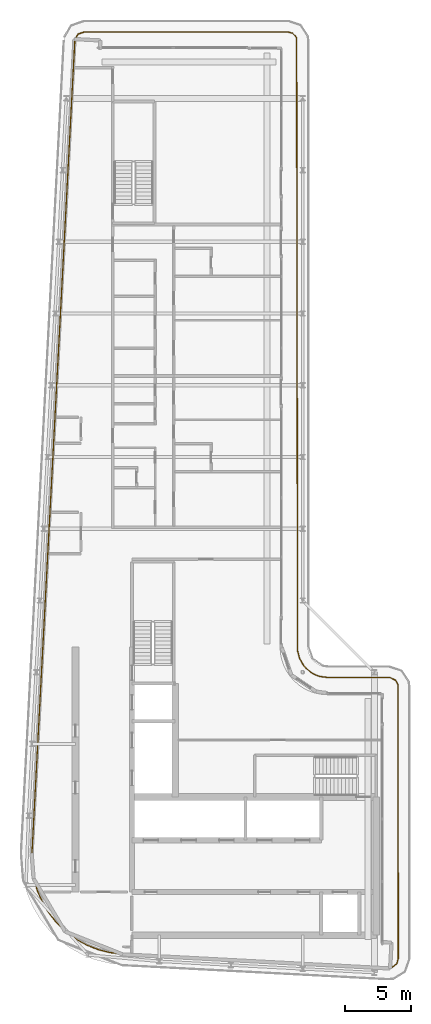
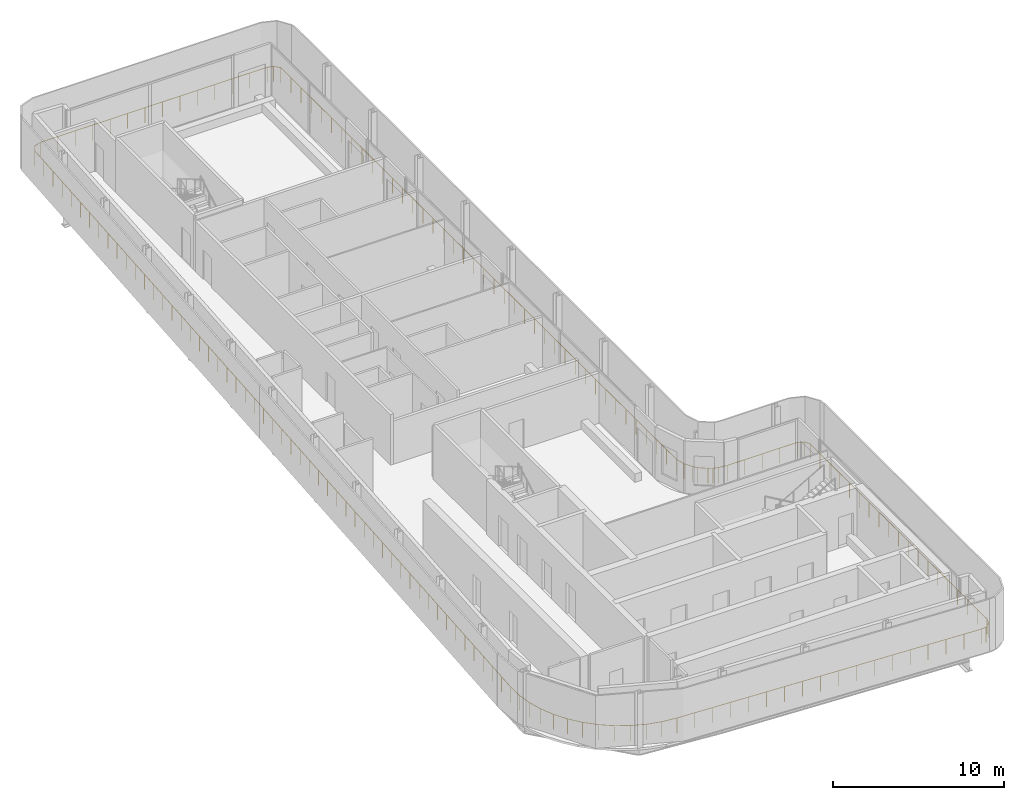
# One storey, part 16 of 19: 1 railing.
"""IFC4 building model written with IfcOpenShell, lengths in metres."""

from ifc_helpers import new_model, si_unit, direction, frame, origin, origin_2d, place, context, subcontext, project, spatial, circle, extrude, material, type_object, element, save


model = new_model("IFC4")

# Units and contexts
model_context = context("Model", 3, precision=1e-05, world=origin(), true_north=direction((0.0, 1.0)))
body_context = subcontext(model_context, "Body", "Model", "MODEL_VIEW")
ifc_project = project(units=[si_unit("LENGTHUNIT", "METRE"), si_unit("AREAUNIT", "SQUARE_METRE"), si_unit("VOLUMEUNIT", "CUBIC_METRE"), si_unit("PLANEANGLEUNIT", "RADIAN"), si_unit("MASSUNIT", "GRAM", prefix="KILO")], contexts=[model_context])

# Site, building, storey
site_placement = place(None, origin())
site = spatial("IfcSite", under=ifc_project, at=site_placement, CompositionType="ELEMENT")
building_placement = place(site_placement, origin())
building = spatial("IfcBuilding", under=site, at=building_placement, Name="Kheshtan School and Residences Tower", CompositionType="ELEMENT")
storey_placement = place(building_placement, frame((0.0, 0.0, 350.0)))
storey = spatial("IfcBuildingStorey", under=building, at=storey_placement, Name="L82", CompositionType="ELEMENT", Elevation=350.0)

# Railing
ifc_material = material(Name="Stainless steel balustrade", Category="steel")
railing_type = type_object("IfcRailingType", Name="Loggia guard 1100", PredefinedType="GUARDRAIL", material=ifc_material)
railing_placement = place(storey_placement, frame((30.452880859375, 93.23193359375, 0.0)))
element("IfcRailing", 1, at=railing_placement, inside=storey, type_object=railing_type, Name="Guard L82 1", PredefinedType="GUARDRAIL", context=body_context, shape_type="SweptSolid", body=[
    extrude(circle(Radius=0.02392578125, at=origin_2d()), frame((0.0, 0.0, 1.076171875), z_axis=(0.511384164068, 0.859352219256, 0.0), x_axis=(-0.859352219256, 0.511384164068, 0.0)), (0.0, 0.0, 1.0), 0.4736328125),
    extrude(circle(Radius=0.02392578125, at=origin_2d()), frame((0.2421875, 0.406982421875, 1.076171875), z_axis=(0.94615212502, 0.323722344486, 0.0), x_axis=(-0.323722344486, 0.94615212502, 0.0)), (0.0, 0.0, 1.0), 0.497802734375),
    extrude(circle(Radius=0.02392578125, at=origin_2d()), frame((0.713134765625, 0.568115234375, 1.076171875), z_axis=(1.0, 0.0, 0.0), x_axis=(0.0, 1.0, 0.0)), (0.0, 0.0, 1.0), 15.306884765625),
    extrude(circle(Radius=0.02392578125, at=origin_2d()), frame((16.02001953125, 0.568115234375, 1.076171875), z_axis=(0.969584789188, -0.244755667095, 0.0), x_axis=(0.244755667095, 0.969584789188, 0.0)), (0.0, 0.0, 1.0), 0.387939453125),
    extrude(circle(Radius=0.02392578125, at=origin_2d()), frame((16.396240234375, 0.47314453125, 1.076171875), z_axis=(0.658543074433, -0.752543034727, 0.0), x_axis=(0.752543034727, 0.658543074433, 0.0)), (0.0, 0.0, 1.0), 0.44921875),
    extrude(circle(Radius=0.02392578125, at=origin_2d()), frame((16.692138671875, 0.135009765625, 1.076171875), z_axis=(0.00158113856, -0.99999875, 0.0), x_axis=(0.99999875, 0.00158113856, 0.0)), (0.0, 0.0, 1.0), 46.16796875),
    extrude(circle(Radius=0.02392578125, at=origin_2d()), frame((16.76513671875, -46.032958984375, 1.076171875), z_axis=(0.258194066029, -0.966093072259, 0.0), x_axis=(0.966093072259, 0.258194066029, 0.0)), (0.0, 0.0, 1.0), 0.600341796875),
    extrude(circle(Radius=0.02392578125, at=origin_2d()), frame((16.920166015625, -46.613037109375, 1.076171875), z_axis=(0.500650830488, -0.865649320413, 0.0), x_axis=(0.865649320413, 0.500650830488, 0.0)), (0.0, 0.0, 1.0), 0.599365234375),
    extrude(circle(Radius=0.02392578125, at=origin_2d()), frame((17.22021484375, -47.1318359375, 1.076171875), z_axis=(0.657475962228, -0.753475519903, 0.0), x_axis=(0.753475519903, 0.657475962228, 0.0)), (0.0, 0.0, 1.0), 0.302734375),
    extrude(circle(Radius=0.02392578125, at=origin_2d()), frame((17.419189453125, -47.35986328125, 1.076171875), z_axis=(0.794207829635, -0.607646215611, 0.0), x_axis=(0.607646215611, 0.794207829635, 0.0)), (0.0, 0.0, 1.0), 0.6005859375),
    extrude(circle(Radius=0.02392578125, at=origin_2d()), frame((17.896240234375, -47.724853515625, 1.076171875), z_axis=(0.895558957072, -0.444942866455, 0.0), x_axis=(0.444942866455, 0.895558957072, 0.0)), (0.0, 0.0, 1.0), 0.30126953125),
    extrude(circle(Radius=0.02392578125, at=origin_2d()), frame((18.166015625, -47.85888671875, 1.076171875), z_axis=(0.946890871883, -0.321555091305, 0.0), x_axis=(0.321555091305, 0.946890871883, 0.0)), (0.0, 0.0, 1.0), 0.30224609375),
    extrude(circle(Radius=0.02392578125, at=origin_2d()), frame((18.4521484375, -47.9560546875, 1.076171875), z_axis=(0.991179452641, -0.132526573418, 0.0), x_axis=(0.132526573418, 0.991179452641, 0.0)), (0.0, 0.0, 1.0), 0.572998046875),
    extrude(circle(Radius=0.02392578125, at=origin_2d()), frame((19.02001953125, -48.031982421875, 1.076171875), z_axis=(0.999998541999, -0.001707630111, 0.0), x_axis=(0.001707630111, 0.999998541999, 0.0)), (0.0, 0.0, 1.0), 4.718017578125),
    extrude(circle(Radius=0.02392578125, at=origin_2d()), frame((23.738037109375, -48.0400390625, 1.076171875), z_axis=(0.897558100782, -0.440896196084, 0.0), x_axis=(0.440896196084, 0.897558100782, 0.0)), (0.0, 0.0, 1.0), 0.448974609375),
    extrude(circle(Radius=0.02392578125, at=origin_2d()), frame((24.14111328125, -48.238037109375, 1.076171875), z_axis=(0.498394889566, -0.866950133546, 0.0), x_axis=(0.866950133546, 0.498394889566, 0.0)), (0.0, 0.0, 1.0), 0.361083984375),
    extrude(circle(Radius=0.02392578125, at=origin_2d()), frame((24.321044921875, -48.551025390625, 1.076171875), z_axis=(0.001266271174, -0.999999198278, 0.0), x_axis=(0.999999198278, 0.001266271174, 0.0)), (0.0, 0.0, 1.0), 20.6298828125),
    extrude(circle(Radius=0.02392578125, at=origin_2d()), frame((24.34716796875, -69.180908203125, 1.076171875), z_axis=(-0.253805819319, -0.967255191808, 0.0), x_axis=(0.967255191808, -0.253805819319, 0.0)), (0.0, 0.0, 1.0), 0.402099609375),
    extrude(circle(Radius=0.02392578125, at=origin_2d()), frame((24.2451171875, -69.56982421875, 1.076171875), z_axis=(-0.7708150077, -0.637059042715, 0.0), x_axis=(0.637059042715, -0.7708150077, 0.0)), (0.0, 0.0, 1.0), 0.4619140625),
    extrude(circle(Radius=0.02392578125, at=origin_2d()), frame((23.88916015625, -69.864013671875, 1.076171875), z_axis=(-0.990293977152, -0.138988628372, 0.0), x_axis=(0.138988628372, -0.990293977152, 0.0)), (0.0, 0.0, 1.0), 0.30908203125),
    extrude(circle(Radius=0.02392578125, at=origin_2d()), frame((23.5830078125, -69.906982421875, 1.076171875), z_axis=(-0.99861401751, 0.052631207781, 0.0), x_axis=(-0.052631207781, -0.99861401751, 0.0)), (0.0, 0.0, 1.0), 20.0068359375),
    extrude(circle(Radius=0.02392578125, at=origin_2d()), frame((3.60400390625, -68.85400390625, 1.076171875), z_axis=(-0.993152326572, 0.116826607521, 0.0), x_axis=(-0.116826607521, -0.993152326572, 0.0)), (0.0, 0.0, 1.0), 0.967529296875),
    extrude(circle(Radius=0.02392578125, at=origin_2d()), frame((2.64306640625, -68.740966796875, 1.076171875), z_axis=(-0.969142269941, 0.246502049918, 0.0), x_axis=(-0.246502049918, -0.969142269941, 0.0)), (0.0, 0.0, 1.0), 0.94091796875),
    extrude(circle(Radius=0.02392578125, at=origin_2d()), frame((1.731201171875, -68.509033203125, 1.076171875), z_axis=(-0.928440955332, 0.371480002775, 0.0), x_axis=(-0.371480002775, -0.928440955332, 0.0)), (0.0, 0.0, 1.0), 0.9423828125),
    extrude(circle(Radius=0.02392578125, at=origin_2d()), frame((0.856201171875, -68.158935546875, 1.076171875), z_axis=(-0.872673913379, 0.488303431187, 0.0), x_axis=(-0.488303431187, -0.872673913379, 0.0)), (0.0, 0.0, 1.0), 0.94189453125),
    extrude(circle(Radius=0.02392578125, at=origin_2d()), frame((0.0341796875, -67.698974609375, 1.076171875), z_axis=(-0.801336596607, 0.598213723462, 0.0), x_axis=(-0.598213723462, -0.801336596607, 0.0)), (0.0, 0.0, 1.0), 0.941162109375),
    extrude(circle(Radius=0.02392578125, at=origin_2d()), frame((-0.719970703125, -67.135986328125, 1.076171875), z_axis=(-0.71600013962, 0.69810013613, 0.0), x_axis=(-0.69810013613, -0.71600013962, 0.0)), (0.0, 0.0, 1.0), 0.941162109375),
    extrude(circle(Radius=0.02392578125, at=origin_2d()), frame((-1.393798828125, -66.47900390625, 1.076171875), z_axis=(-0.618862535768, 0.785499307334, 0.0), x_axis=(-0.785499307334, -0.618862535768, 0.0)), (0.0, 0.0, 1.0), 0.942138671875),
    extrude(circle(Radius=0.02392578125, at=origin_2d()), frame((-1.976806640625, -65.739013671875, 1.076171875), z_axis=(-0.510214927824, 0.860046933269, 0.0), x_axis=(-0.860046933269, -0.510214927824, 0.0)), (0.0, 0.0, 1.0), 0.940673828125),
    extrude(circle(Radius=0.02392578125, at=origin_2d()), frame((-2.456787109375, -64.929931640625, 1.076171875), z_axis=(-0.394763216191, 0.918782892278, 0.0), x_axis=(-0.918782892278, -0.394763216191, 0.0)), (0.0, 0.0, 1.0), 0.942626953125),
    extrude(circle(Radius=0.02392578125, at=origin_2d()), frame((-2.828857421875, -64.06396484375, 1.076171875), z_axis=(-0.272014427065, 0.962293173346, 0.0), x_axis=(-0.962293173346, -0.272014427065, 0.0)), (0.0, 0.0, 1.0), 0.94140625),
    extrude(circle(Radius=0.02392578125, at=origin_2d()), frame((-3.0849609375, -63.157958984375, 1.076171875), z_axis=(-0.143344445165, 0.989672860111, 0.0), x_axis=(-0.989672860111, -0.143344445165, 0.0)), (0.0, 0.0, 1.0), 0.94189453125),
    extrude(circle(Radius=0.02392578125, at=origin_2d()), frame((-3.219970703125, -62.225830078125, 1.076171875), z_axis=(-0.013382639841, 0.999910448466, 0.0), x_axis=(-0.999910448466, -0.013382639841, 0.0)), (0.0, 0.0, 1.0), 0.966796875),
    extrude(circle(Radius=0.02392578125, at=origin_2d()), frame((-3.23291015625, -61.259033203125, 1.076171875), z_axis=(0.052701084501, 0.998610332258, 0.0), x_axis=(-0.998610332258, 0.052701084501, 0.0)), (0.0, 0.0, 1.0), 61.34423828125),
    extrude(circle(Radius=0.02099609375, at=origin_2d()), origin(), (0.0, 0.0, 1.0), 1.052001953125),
    extrude(circle(Radius=0.02099609375, at=origin_2d()), frame((0.2421875, 0.406982421875, 0.0)), (0.0, 0.0, 1.0), 1.052001953125),
    extrude(circle(Radius=0.02099609375, at=origin_2d()), frame((0.713134765625, 0.568115234375, 0.0)), (0.0, 0.0, 1.0), 1.052001953125),
    extrude(circle(Radius=0.02099609375, at=origin_2d()), frame((1.890625, 0.568115234375, 0.0)), (0.0, 0.0, 1.0), 1.052001953125),
    extrude(circle(Radius=0.02099609375, at=origin_2d()), frame((3.068115234375, 0.568115234375, 0.0)), (0.0, 0.0, 1.0), 1.052001953125),
    extrude(circle(Radius=0.02099609375, at=origin_2d()), frame((4.24560546875, 0.568115234375, 0.0)), (0.0, 0.0, 1.0), 1.052001953125),
    extrude(circle(Radius=0.02099609375, at=origin_2d()), frame((5.4228515625, 0.568115234375, 0.0)), (0.0, 0.0, 1.0), 1.052001953125),
    extrude(circle(Radius=0.02099609375, at=origin_2d()), frame((6.600341796875, 0.568115234375, 0.0)), (0.0, 0.0, 1.0), 1.052001953125),
    extrude(circle(Radius=0.02099609375, at=origin_2d()), frame((7.77783203125, 0.568115234375, 0.0)), (0.0, 0.0, 1.0), 1.052001953125),
    extrude(circle(Radius=0.02099609375, at=origin_2d()), frame((8.955322265625, 0.568115234375, 0.0)), (0.0, 0.0, 1.0), 1.052001953125),
    extrude(circle(Radius=0.02099609375, at=origin_2d()), frame((10.1328125, 0.568115234375, 0.0)), (0.0, 0.0, 1.0), 1.052001953125),
    extrude(circle(Radius=0.02099609375, at=origin_2d()), frame((11.310302734375, 0.568115234375, 0.0)), (0.0, 0.0, 1.0), 1.052001953125),
    extrude(circle(Radius=0.02099609375, at=origin_2d()), frame((12.487548828125, 0.568115234375, 0.0)), (0.0, 0.0, 1.0), 1.052001953125),
    extrude(circle(Radius=0.02099609375, at=origin_2d()), frame((13.6650390625, 0.568115234375, 0.0)), (0.0, 0.0, 1.0), 1.052001953125),
    extrude(circle(Radius=0.02099609375, at=origin_2d()), frame((14.842529296875, 0.568115234375, 0.0)), (0.0, 0.0, 1.0), 1.052001953125),
    extrude(circle(Radius=0.02099609375, at=origin_2d()), frame((16.02001953125, 0.568115234375, 0.0)), (0.0, 0.0, 1.0), 1.052001953125),
    extrude(circle(Radius=0.02099609375, at=origin_2d()), frame((16.396240234375, 0.47314453125, 0.0)), (0.0, 0.0, 1.0), 1.052001953125),
    extrude(circle(Radius=0.02099609375, at=origin_2d()), frame((16.692138671875, 0.135009765625, 0.0)), (0.0, 0.0, 1.0), 1.052001953125),
    extrude(circle(Radius=0.02099609375, at=origin_2d()), frame((16.694091796875, -1.048828125, 0.0)), (0.0, 0.0, 1.0), 1.052001953125),
    extrude(circle(Radius=0.02099609375, at=origin_2d()), frame((16.69580078125, -2.232666015625, 0.0)), (0.0, 0.0, 1.0), 1.052001953125),
    extrude(circle(Radius=0.02099609375, at=origin_2d()), frame((16.69775390625, -3.416259765625, 0.0)), (0.0, 0.0, 1.0), 1.052001953125),
    extrude(circle(Radius=0.02099609375, at=origin_2d()), frame((16.69970703125, -4.60009765625, 0.0)), (0.0, 0.0, 1.0), 1.052001953125),
    extrude(circle(Radius=0.02099609375, at=origin_2d()), frame((16.701416015625, -5.783935546875, 0.0)), (0.0, 0.0, 1.0), 1.052001953125),
    extrude(circle(Radius=0.02099609375, at=origin_2d()), frame((16.703369140625, -6.9677734375, 0.0)), (0.0, 0.0, 1.0), 1.052001953125),
    extrude(circle(Radius=0.02099609375, at=origin_2d()), frame((16.705322265625, -8.151611328125, 0.0)), (0.0, 0.0, 1.0), 1.052001953125),
    extrude(circle(Radius=0.02099609375, at=origin_2d()), frame((16.70703125, -9.33544921875, 0.0)), (0.0, 0.0, 1.0), 1.052001953125),
    extrude(circle(Radius=0.02099609375, at=origin_2d()), frame((16.708984375, -10.51904296875, 0.0)), (0.0, 0.0, 1.0), 1.052001953125),
    extrude(circle(Radius=0.02099609375, at=origin_2d()), frame((16.7109375, -11.702880859375, 0.0)), (0.0, 0.0, 1.0), 1.052001953125),
    extrude(circle(Radius=0.02099609375, at=origin_2d()), frame((16.712646484375, -12.88671875, 0.0)), (0.0, 0.0, 1.0), 1.052001953125),
    extrude(circle(Radius=0.02099609375, at=origin_2d()), frame((16.714599609375, -14.070556640625, 0.0)), (0.0, 0.0, 1.0), 1.052001953125),
    extrude(circle(Radius=0.02099609375, at=origin_2d()), frame((16.716552734375, -15.25439453125, 0.0)), (0.0, 0.0, 1.0), 1.052001953125),
    extrude(circle(Radius=0.02099609375, at=origin_2d()), frame((16.71826171875, -16.43798828125, 0.0)), (0.0, 0.0, 1.0), 1.052001953125),
    extrude(circle(Radius=0.02099609375, at=origin_2d()), frame((16.72021484375, -17.621826171875, 0.0)), (0.0, 0.0, 1.0), 1.052001953125),
    extrude(circle(Radius=0.02099609375, at=origin_2d()), frame((16.72216796875, -18.8056640625, 0.0)), (0.0, 0.0, 1.0), 1.052001953125),
    extrude(circle(Radius=0.02099609375, at=origin_2d()), frame((16.723876953125, -19.989501953125, 0.0)), (0.0, 0.0, 1.0), 1.052001953125),
    extrude(circle(Radius=0.02099609375, at=origin_2d()), frame((16.725830078125, -21.17333984375, 0.0)), (0.0, 0.0, 1.0), 1.052001953125),
    extrude(circle(Radius=0.02099609375, at=origin_2d()), frame((16.727783203125, -22.357177734375, 0.0)), (0.0, 0.0, 1.0), 1.052001953125),
    extrude(circle(Radius=0.02099609375, at=origin_2d()), frame((16.7294921875, -23.540771484375, 0.0)), (0.0, 0.0, 1.0), 1.052001953125),
    extrude(circle(Radius=0.02099609375, at=origin_2d()), frame((16.7314453125, -24.724609375, 0.0)), (0.0, 0.0, 1.0), 1.052001953125),
    extrude(circle(Radius=0.02099609375, at=origin_2d()), frame((16.7333984375, -25.908447265625, 0.0)), (0.0, 0.0, 1.0), 1.052001953125),
    extrude(circle(Radius=0.02099609375, at=origin_2d()), frame((16.735107421875, -27.09228515625, 0.0)), (0.0, 0.0, 1.0), 1.052001953125),
    extrude(circle(Radius=0.02099609375, at=origin_2d()), frame((16.737060546875, -28.276123046875, 0.0)), (0.0, 0.0, 1.0), 1.052001953125),
    extrude(circle(Radius=0.02099609375, at=origin_2d()), frame((16.739013671875, -29.4599609375, 0.0)), (0.0, 0.0, 1.0), 1.052001953125),
    extrude(circle(Radius=0.02099609375, at=origin_2d()), frame((16.74072265625, -30.6435546875, 0.0)), (0.0, 0.0, 1.0), 1.052001953125),
    extrude(circle(Radius=0.02099609375, at=origin_2d()), frame((16.74267578125, -31.827392578125, 0.0)), (0.0, 0.0, 1.0), 1.052001953125),
    extrude(circle(Radius=0.02099609375, at=origin_2d()), frame((16.74462890625, -33.01123046875, 0.0)), (0.0, 0.0, 1.0), 1.052001953125),
    extrude(circle(Radius=0.02099609375, at=origin_2d()), frame((16.746337890625, -34.195068359375, 0.0)), (0.0, 0.0, 1.0), 1.052001953125),
    extrude(circle(Radius=0.02099609375, at=origin_2d()), frame((16.748291015625, -35.37890625, 0.0)), (0.0, 0.0, 1.0), 1.052001953125),
    extrude(circle(Radius=0.02099609375, at=origin_2d()), frame((16.750244140625, -36.5625, 0.0)), (0.0, 0.0, 1.0), 1.052001953125),
    extrude(circle(Radius=0.02099609375, at=origin_2d()), frame((16.751953125, -37.746337890625, 0.0)), (0.0, 0.0, 1.0), 1.052001953125),
    extrude(circle(Radius=0.02099609375, at=origin_2d()), frame((16.75390625, -38.93017578125, 0.0)), (0.0, 0.0, 1.0), 1.052001953125),
    extrude(circle(Radius=0.02099609375, at=origin_2d()), frame((16.755859375, -40.114013671875, 0.0)), (0.0, 0.0, 1.0), 1.052001953125),
    extrude(circle(Radius=0.02099609375, at=origin_2d()), frame((16.757568359375, -41.2978515625, 0.0)), (0.0, 0.0, 1.0), 1.052001953125),
    extrude(circle(Radius=0.02099609375, at=origin_2d()), frame((16.759521484375, -42.481689453125, 0.0)), (0.0, 0.0, 1.0), 1.052001953125),
    extrude(circle(Radius=0.02099609375, at=origin_2d()), frame((16.761474609375, -43.665283203125, 0.0)), (0.0, 0.0, 1.0), 1.052001953125),
    extrude(circle(Radius=0.02099609375, at=origin_2d()), frame((16.76318359375, -44.84912109375, 0.0)), (0.0, 0.0, 1.0), 1.052001953125),
    extrude(circle(Radius=0.02099609375, at=origin_2d()), frame((16.76513671875, -46.032958984375, 0.0)), (0.0, 0.0, 1.0), 1.052001953125),
    extrude(circle(Radius=0.02099609375, at=origin_2d()), frame((16.920166015625, -46.613037109375, 0.0)), (0.0, 0.0, 1.0), 1.052001953125),
    extrude(circle(Radius=0.02099609375, at=origin_2d()), frame((17.22021484375, -47.1318359375, 0.0)), (0.0, 0.0, 1.0), 1.052001953125),
    extrude(circle(Radius=0.02099609375, at=origin_2d()), frame((17.419189453125, -47.35986328125, 0.0)), (0.0, 0.0, 1.0), 1.052001953125),
    extrude(circle(Radius=0.02099609375, at=origin_2d()), frame((17.896240234375, -47.724853515625, 0.0)), (0.0, 0.0, 1.0), 1.052001953125),
    extrude(circle(Radius=0.02099609375, at=origin_2d()), frame((18.166015625, -47.85888671875, 0.0)), (0.0, 0.0, 1.0), 1.052001953125),
    extrude(circle(Radius=0.02099609375, at=origin_2d()), frame((18.4521484375, -47.9560546875, 0.0)), (0.0, 0.0, 1.0), 1.052001953125),
    extrude(circle(Radius=0.02099609375, at=origin_2d()), frame((19.02001953125, -48.031982421875, 0.0)), (0.0, 0.0, 1.0), 1.052001953125),
    extrude(circle(Radius=0.02099609375, at=origin_2d()), frame((20.199462890625, -48.033935546875, 0.0)), (0.0, 0.0, 1.0), 1.052001953125),
    extrude(circle(Radius=0.02099609375, at=origin_2d()), frame((21.37890625, -48.0361328125, 0.0)), (0.0, 0.0, 1.0), 1.052001953125),
    extrude(circle(Radius=0.02099609375, at=origin_2d()), frame((22.55859375, -48.0380859375, 0.0)), (0.0, 0.0, 1.0), 1.052001953125),
    extrude(circle(Radius=0.02099609375, at=origin_2d()), frame((23.738037109375, -48.0400390625, 0.0)), (0.0, 0.0, 1.0), 1.052001953125),
    extrude(circle(Radius=0.02099609375, at=origin_2d()), frame((24.14111328125, -48.238037109375, 0.0)), (0.0, 0.0, 1.0), 1.052001953125),
    extrude(circle(Radius=0.02099609375, at=origin_2d()), frame((24.321044921875, -48.551025390625, 0.0)), (0.0, 0.0, 1.0), 1.052001953125),
    extrude(circle(Radius=0.02099609375, at=origin_2d()), frame((24.322509765625, -49.697021484375, 0.0)), (0.0, 0.0, 1.0), 1.052001953125),
    extrude(circle(Radius=0.02099609375, at=origin_2d()), frame((24.323974609375, -50.84326171875, 0.0)), (0.0, 0.0, 1.0), 1.052001953125),
    extrude(circle(Radius=0.02099609375, at=origin_2d()), frame((24.325439453125, -51.9892578125, 0.0)), (0.0, 0.0, 1.0), 1.052001953125),
    extrude(circle(Radius=0.02099609375, at=origin_2d()), frame((24.326904296875, -53.135498046875, 0.0)), (0.0, 0.0, 1.0), 1.052001953125),
    extrude(circle(Radius=0.02099609375, at=origin_2d()), frame((24.328369140625, -54.281494140625, 0.0)), (0.0, 0.0, 1.0), 1.052001953125),
    extrude(circle(Radius=0.02099609375, at=origin_2d()), frame((24.329833984375, -55.427734375, 0.0)), (0.0, 0.0, 1.0), 1.052001953125),
    extrude(circle(Radius=0.02099609375, at=origin_2d()), frame((24.331298828125, -56.57373046875, 0.0)), (0.0, 0.0, 1.0), 1.052001953125),
    extrude(circle(Radius=0.02099609375, at=origin_2d()), frame((24.332763671875, -57.719970703125, 0.0)), (0.0, 0.0, 1.0), 1.052001953125),
    extrude(circle(Radius=0.02099609375, at=origin_2d()), frame((24.333984375, -58.865966796875, 0.0)), (0.0, 0.0, 1.0), 1.052001953125),
    extrude(circle(Radius=0.02099609375, at=origin_2d()), frame((24.33544921875, -60.011962890625, 0.0)), (0.0, 0.0, 1.0), 1.052001953125),
    extrude(circle(Radius=0.02099609375, at=origin_2d()), frame((24.3369140625, -61.158203125, 0.0)), (0.0, 0.0, 1.0), 1.052001953125),
    extrude(circle(Radius=0.02099609375, at=origin_2d()), frame((24.33837890625, -62.30419921875, 0.0)), (0.0, 0.0, 1.0), 1.052001953125),
    extrude(circle(Radius=0.02099609375, at=origin_2d()), frame((24.33984375, -63.450439453125, 0.0)), (0.0, 0.0, 1.0), 1.052001953125),
    extrude(circle(Radius=0.02099609375, at=origin_2d()), frame((24.34130859375, -64.596435546875, 0.0)), (0.0, 0.0, 1.0), 1.052001953125),
    extrude(circle(Radius=0.02099609375, at=origin_2d()), frame((24.3427734375, -65.74267578125, 0.0)), (0.0, 0.0, 1.0), 1.052001953125),
    extrude(circle(Radius=0.02099609375, at=origin_2d()), frame((24.34423828125, -66.888671875, 0.0)), (0.0, 0.0, 1.0), 1.052001953125),
    extrude(circle(Radius=0.02099609375, at=origin_2d()), frame((24.345703125, -68.034912109375, 0.0)), (0.0, 0.0, 1.0), 1.052001953125),
    extrude(circle(Radius=0.02099609375, at=origin_2d()), frame((24.34716796875, -69.180908203125, 0.0)), (0.0, 0.0, 1.0), 1.052001953125),
    extrude(circle(Radius=0.02099609375, at=origin_2d()), frame((24.2451171875, -69.56982421875, 0.0)), (0.0, 0.0, 1.0), 1.052001953125),
    extrude(circle(Radius=0.02099609375, at=origin_2d()), frame((23.88916015625, -69.864013671875, 0.0)), (0.0, 0.0, 1.0), 1.052001953125),
    extrude(circle(Radius=0.02099609375, at=origin_2d()), frame((23.5830078125, -69.906982421875, 0.0)), (0.0, 0.0, 1.0), 1.052001953125),
    extrude(circle(Radius=0.02099609375, at=origin_2d()), frame((22.40771484375, -69.844970703125, 0.0)), (0.0, 0.0, 1.0), 1.052001953125),
    extrude(circle(Radius=0.02099609375, at=origin_2d()), frame((21.232421875, -69.783203125, 0.0)), (0.0, 0.0, 1.0), 1.052001953125),
    extrude(circle(Radius=0.02099609375, at=origin_2d()), frame((20.057373046875, -69.72119140625, 0.0)), (0.0, 0.0, 1.0), 1.052001953125),
    extrude(circle(Radius=0.02099609375, at=origin_2d()), frame((18.882080078125, -69.6591796875, 0.0)), (0.0, 0.0, 1.0), 1.052001953125),
    extrude(circle(Radius=0.02099609375, at=origin_2d()), frame((17.706787109375, -69.59716796875, 0.0)), (0.0, 0.0, 1.0), 1.052001953125),
    extrude(circle(Radius=0.02099609375, at=origin_2d()), frame((16.531494140625, -69.535400390625, 0.0)), (0.0, 0.0, 1.0), 1.052001953125),
    extrude(circle(Radius=0.02099609375, at=origin_2d()), frame((15.3564453125, -69.473388671875, 0.0)), (0.0, 0.0, 1.0), 1.052001953125),
    extrude(circle(Radius=0.02099609375, at=origin_2d()), frame((14.18115234375, -69.411376953125, 0.0)), (0.0, 0.0, 1.0), 1.052001953125),
    extrude(circle(Radius=0.02099609375, at=origin_2d()), frame((13.005859375, -69.349609375, 0.0)), (0.0, 0.0, 1.0), 1.052001953125),
    extrude(circle(Radius=0.02099609375, at=origin_2d()), frame((11.83056640625, -69.28759765625, 0.0)), (0.0, 0.0, 1.0), 1.052001953125),
    extrude(circle(Radius=0.02099609375, at=origin_2d()), frame((10.655517578125, -69.2255859375, 0.0)), (0.0, 0.0, 1.0), 1.052001953125),
    extrude(circle(Radius=0.02099609375, at=origin_2d()), frame((9.480224609375, -69.163818359375, 0.0)), (0.0, 0.0, 1.0), 1.052001953125),
    extrude(circle(Radius=0.02099609375, at=origin_2d()), frame((8.304931640625, -69.101806640625, 0.0)), (0.0, 0.0, 1.0), 1.052001953125),
    extrude(circle(Radius=0.02099609375, at=origin_2d()), frame((7.129638671875, -69.039794921875, 0.0)), (0.0, 0.0, 1.0), 1.052001953125),
    extrude(circle(Radius=0.02099609375, at=origin_2d()), frame((5.95458984375, -68.977783203125, 0.0)), (0.0, 0.0, 1.0), 1.052001953125),
    extrude(circle(Radius=0.02099609375, at=origin_2d()), frame((4.779296875, -68.916015625, 0.0)), (0.0, 0.0, 1.0), 1.052001953125),
    extrude(circle(Radius=0.02099609375, at=origin_2d()), frame((3.60400390625, -68.85400390625, 0.0)), (0.0, 0.0, 1.0), 1.052001953125),
    extrude(circle(Radius=0.02099609375, at=origin_2d()), frame((2.64306640625, -68.740966796875, 0.0)), (0.0, 0.0, 1.0), 1.052001953125),
    extrude(circle(Radius=0.02099609375, at=origin_2d()), frame((1.731201171875, -68.509033203125, 0.0)), (0.0, 0.0, 1.0), 1.052001953125),
    extrude(circle(Radius=0.02099609375, at=origin_2d()), frame((0.856201171875, -68.158935546875, 0.0)), (0.0, 0.0, 1.0), 1.052001953125),
    extrude(circle(Radius=0.02099609375, at=origin_2d()), frame((0.0341796875, -67.698974609375, 0.0)), (0.0, 0.0, 1.0), 1.052001953125),
    extrude(circle(Radius=0.02099609375, at=origin_2d()), frame((-0.719970703125, -67.135986328125, 0.0)), (0.0, 0.0, 1.0), 1.052001953125),
    extrude(circle(Radius=0.02099609375, at=origin_2d()), frame((-1.393798828125, -66.47900390625, 0.0)), (0.0, 0.0, 1.0), 1.052001953125),
    extrude(circle(Radius=0.02099609375, at=origin_2d()), frame((-1.976806640625, -65.739013671875, 0.0)), (0.0, 0.0, 1.0), 1.052001953125),
    extrude(circle(Radius=0.02099609375, at=origin_2d()), frame((-2.456787109375, -64.929931640625, 0.0)), (0.0, 0.0, 1.0), 1.052001953125),
    extrude(circle(Radius=0.02099609375, at=origin_2d()), frame((-2.828857421875, -64.06396484375, 0.0)), (0.0, 0.0, 1.0), 1.052001953125),
    extrude(circle(Radius=0.02099609375, at=origin_2d()), frame((-3.0849609375, -63.157958984375, 0.0)), (0.0, 0.0, 1.0), 1.052001953125),
    extrude(circle(Radius=0.02099609375, at=origin_2d()), frame((-3.219970703125, -62.225830078125, 0.0)), (0.0, 0.0, 1.0), 1.052001953125),
    extrude(circle(Radius=0.02099609375, at=origin_2d()), frame((-3.23291015625, -61.259033203125, 0.0)), (0.0, 0.0, 1.0), 1.052001953125),
    extrude(circle(Radius=0.02099609375, at=origin_2d()), frame((-3.170654296875, -60.0810546875, 0.0)), (0.0, 0.0, 1.0), 1.052001953125),
    extrude(circle(Radius=0.02099609375, at=origin_2d()), frame((-3.108642578125, -58.90283203125, 0.0)), (0.0, 0.0, 1.0), 1.052001953125),
    extrude(circle(Radius=0.02099609375, at=origin_2d()), frame((-3.04638671875, -57.724853515625, 0.0)), (0.0, 0.0, 1.0), 1.052001953125),
    extrude(circle(Radius=0.02099609375, at=origin_2d()), frame((-2.984130859375, -56.546875, 0.0)), (0.0, 0.0, 1.0), 1.052001953125),
    extrude(circle(Radius=0.02099609375, at=origin_2d()), frame((-2.922119140625, -55.36865234375, 0.0)), (0.0, 0.0, 1.0), 1.052001953125),
    extrude(circle(Radius=0.02099609375, at=origin_2d()), frame((-2.85986328125, -54.190673828125, 0.0)), (0.0, 0.0, 1.0), 1.052001953125),
    extrude(circle(Radius=0.02099609375, at=origin_2d()), frame((-2.797607421875, -53.0126953125, 0.0)), (0.0, 0.0, 1.0), 1.052001953125),
    extrude(circle(Radius=0.02099609375, at=origin_2d()), frame((-2.735595703125, -51.83447265625, 0.0)), (0.0, 0.0, 1.0), 1.052001953125),
    extrude(circle(Radius=0.02099609375, at=origin_2d()), frame((-2.67333984375, -50.656494140625, 0.0)), (0.0, 0.0, 1.0), 1.052001953125),
    extrude(circle(Radius=0.02099609375, at=origin_2d()), frame((-2.611083984375, -49.478515625, 0.0)), (0.0, 0.0, 1.0), 1.052001953125),
    extrude(circle(Radius=0.02099609375, at=origin_2d()), frame((-2.549072265625, -48.30029296875, 0.0)), (0.0, 0.0, 1.0), 1.052001953125),
    extrude(circle(Radius=0.02099609375, at=origin_2d()), frame((-2.48681640625, -47.122314453125, 0.0)), (0.0, 0.0, 1.0), 1.052001953125),
    extrude(circle(Radius=0.02099609375, at=origin_2d()), frame((-2.4248046875, -45.9443359375, 0.0)), (0.0, 0.0, 1.0), 1.052001953125),
    extrude(circle(Radius=0.02099609375, at=origin_2d()), frame((-2.362548828125, -44.76611328125, 0.0)), (0.0, 0.0, 1.0), 1.052001953125),
    extrude(circle(Radius=0.02099609375, at=origin_2d()), frame((-2.30029296875, -43.588134765625, 0.0)), (0.0, 0.0, 1.0), 1.052001953125),
    extrude(circle(Radius=0.02099609375, at=origin_2d()), frame((-2.23828125, -42.41015625, 0.0)), (0.0, 0.0, 1.0), 1.052001953125),
    extrude(circle(Radius=0.02099609375, at=origin_2d()), frame((-2.176025390625, -41.23193359375, 0.0)), (0.0, 0.0, 1.0), 1.052001953125),
    extrude(circle(Radius=0.02099609375, at=origin_2d()), frame((-2.11376953125, -40.053955078125, 0.0)), (0.0, 0.0, 1.0), 1.052001953125),
    extrude(circle(Radius=0.02099609375, at=origin_2d()), frame((-2.0517578125, -38.8759765625, 0.0)), (0.0, 0.0, 1.0), 1.052001953125),
    extrude(circle(Radius=0.02099609375, at=origin_2d()), frame((-1.989501953125, -37.69775390625, 0.0)), (0.0, 0.0, 1.0), 1.052001953125),
    extrude(circle(Radius=0.02099609375, at=origin_2d()), frame((-1.92724609375, -36.519775390625, 0.0)), (0.0, 0.0, 1.0), 1.052001953125),
    extrude(circle(Radius=0.02099609375, at=origin_2d()), frame((-1.865234375, -35.341796875, 0.0)), (0.0, 0.0, 1.0), 1.052001953125),
    extrude(circle(Radius=0.02099609375, at=origin_2d()), frame((-1.802978515625, -34.16357421875, 0.0)), (0.0, 0.0, 1.0), 1.052001953125),
    extrude(circle(Radius=0.02099609375, at=origin_2d()), frame((-1.74072265625, -32.985595703125, 0.0)), (0.0, 0.0, 1.0), 1.052001953125),
    extrude(circle(Radius=0.02099609375, at=origin_2d()), frame((-1.6787109375, -31.8076171875, 0.0)), (0.0, 0.0, 1.0), 1.052001953125),
    extrude(circle(Radius=0.02099609375, at=origin_2d()), frame((-1.616455078125, -30.62939453125, 0.0)), (0.0, 0.0, 1.0), 1.052001953125),
    extrude(circle(Radius=0.02099609375, at=origin_2d()), frame((-1.55419921875, -29.451416015625, 0.0)), (0.0, 0.0, 1.0), 1.052001953125),
    extrude(circle(Radius=0.02099609375, at=origin_2d()), frame((-1.4921875, -28.2734375, 0.0)), (0.0, 0.0, 1.0), 1.052001953125),
    extrude(circle(Radius=0.02099609375, at=origin_2d()), frame((-1.429931640625, -27.095458984375, 0.0)), (0.0, 0.0, 1.0), 1.052001953125),
    extrude(circle(Radius=0.02099609375, at=origin_2d()), frame((-1.36767578125, -25.917236328125, 0.0)), (0.0, 0.0, 1.0), 1.052001953125),
    extrude(circle(Radius=0.02099609375, at=origin_2d()), frame((-1.3056640625, -24.7392578125, 0.0)), (0.0, 0.0, 1.0), 1.052001953125),
    extrude(circle(Radius=0.02099609375, at=origin_2d()), frame((-1.243408203125, -23.561279296875, 0.0)), (0.0, 0.0, 1.0), 1.052001953125),
    extrude(circle(Radius=0.02099609375, at=origin_2d()), frame((-1.18115234375, -22.383056640625, 0.0)), (0.0, 0.0, 1.0), 1.052001953125),
    extrude(circle(Radius=0.02099609375, at=origin_2d()), frame((-1.119140625, -21.205078125, 0.0)), (0.0, 0.0, 1.0), 1.052001953125),
    extrude(circle(Radius=0.02099609375, at=origin_2d()), frame((-1.056884765625, -20.027099609375, 0.0)), (0.0, 0.0, 1.0), 1.052001953125),
    extrude(circle(Radius=0.02099609375, at=origin_2d()), frame((-0.99462890625, -18.848876953125, 0.0)), (0.0, 0.0, 1.0), 1.052001953125),
    extrude(circle(Radius=0.02099609375, at=origin_2d()), frame((-0.9326171875, -17.6708984375, 0.0)), (0.0, 0.0, 1.0), 1.052001953125),
    extrude(circle(Radius=0.02099609375, at=origin_2d()), frame((-0.870361328125, -16.492919921875, 0.0)), (0.0, 0.0, 1.0), 1.052001953125),
    extrude(circle(Radius=0.02099609375, at=origin_2d()), frame((-0.80810546875, -15.314697265625, 0.0)), (0.0, 0.0, 1.0), 1.052001953125),
    extrude(circle(Radius=0.02099609375, at=origin_2d()), frame((-0.74609375, -14.13671875, 0.0)), (0.0, 0.0, 1.0), 1.052001953125),
    extrude(circle(Radius=0.02099609375, at=origin_2d()), frame((-0.683837890625, -12.958740234375, 0.0)), (0.0, 0.0, 1.0), 1.052001953125),
    extrude(circle(Radius=0.02099609375, at=origin_2d()), frame((-0.621826171875, -11.780517578125, 0.0)), (0.0, 0.0, 1.0), 1.052001953125),
    extrude(circle(Radius=0.02099609375, at=origin_2d()), frame((-0.5595703125, -10.6025390625, 0.0)), (0.0, 0.0, 1.0), 1.052001953125),
    extrude(circle(Radius=0.02099609375, at=origin_2d()), frame((-0.497314453125, -9.424560546875, 0.0)), (0.0, 0.0, 1.0), 1.052001953125),
    extrude(circle(Radius=0.02099609375, at=origin_2d()), frame((-0.435302734375, -8.246337890625, 0.0)), (0.0, 0.0, 1.0), 1.052001953125),
    extrude(circle(Radius=0.02099609375, at=origin_2d()), frame((-0.373046875, -7.068359375, 0.0)), (0.0, 0.0, 1.0), 1.052001953125),
    extrude(circle(Radius=0.02099609375, at=origin_2d()), frame((-0.310791015625, -5.890380859375, 0.0)), (0.0, 0.0, 1.0), 1.052001953125),
    extrude(circle(Radius=0.02099609375, at=origin_2d()), frame((-0.248779296875, -4.712158203125, 0.0)), (0.0, 0.0, 1.0), 1.052001953125),
    extrude(circle(Radius=0.02099609375, at=origin_2d()), frame((-0.1865234375, -3.5341796875, 0.0)), (0.0, 0.0, 1.0), 1.052001953125),
    extrude(circle(Radius=0.02099609375, at=origin_2d()), frame((-0.124267578125, -2.356201171875, 0.0)), (0.0, 0.0, 1.0), 1.052001953125),
    extrude(circle(Radius=0.02099609375, at=origin_2d()), frame((-0.062255859375, -1.177978515625, 0.0)), (0.0, 0.0, 1.0), 1.052001953125),
])

save(model, "model.ifc")
